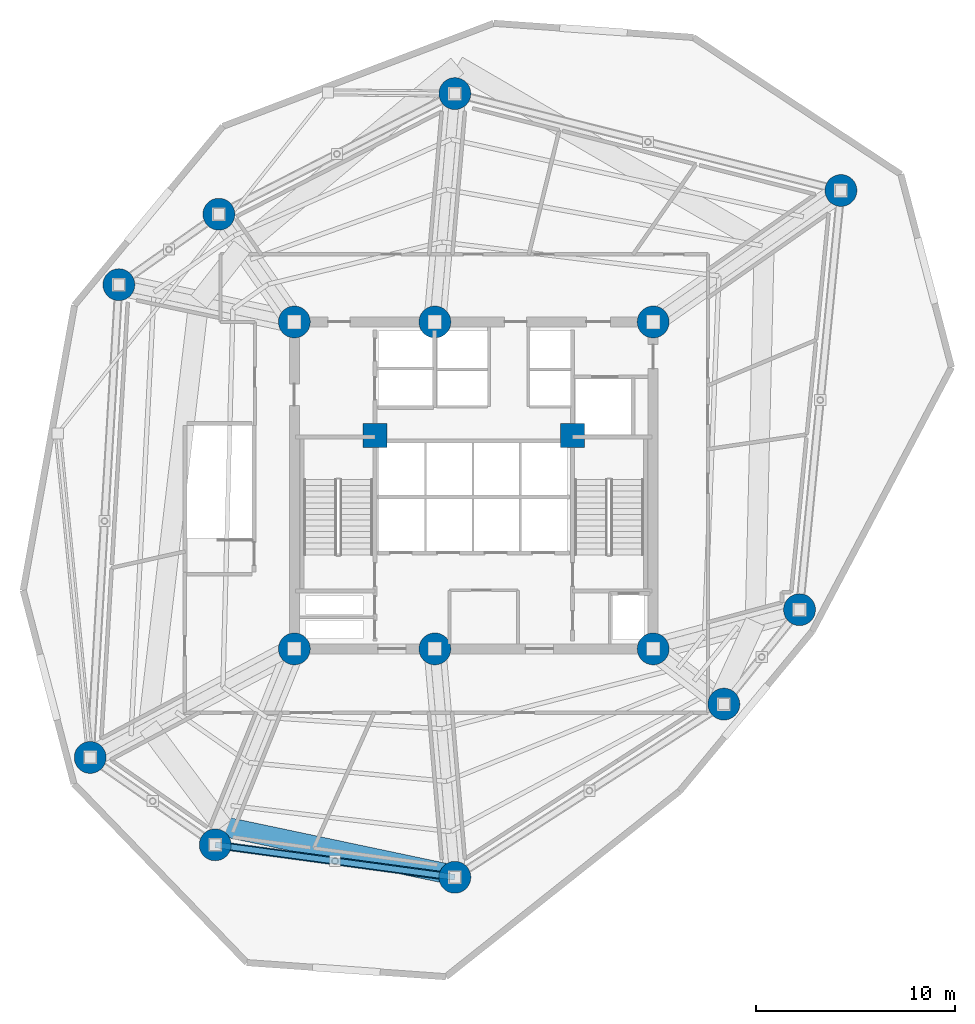
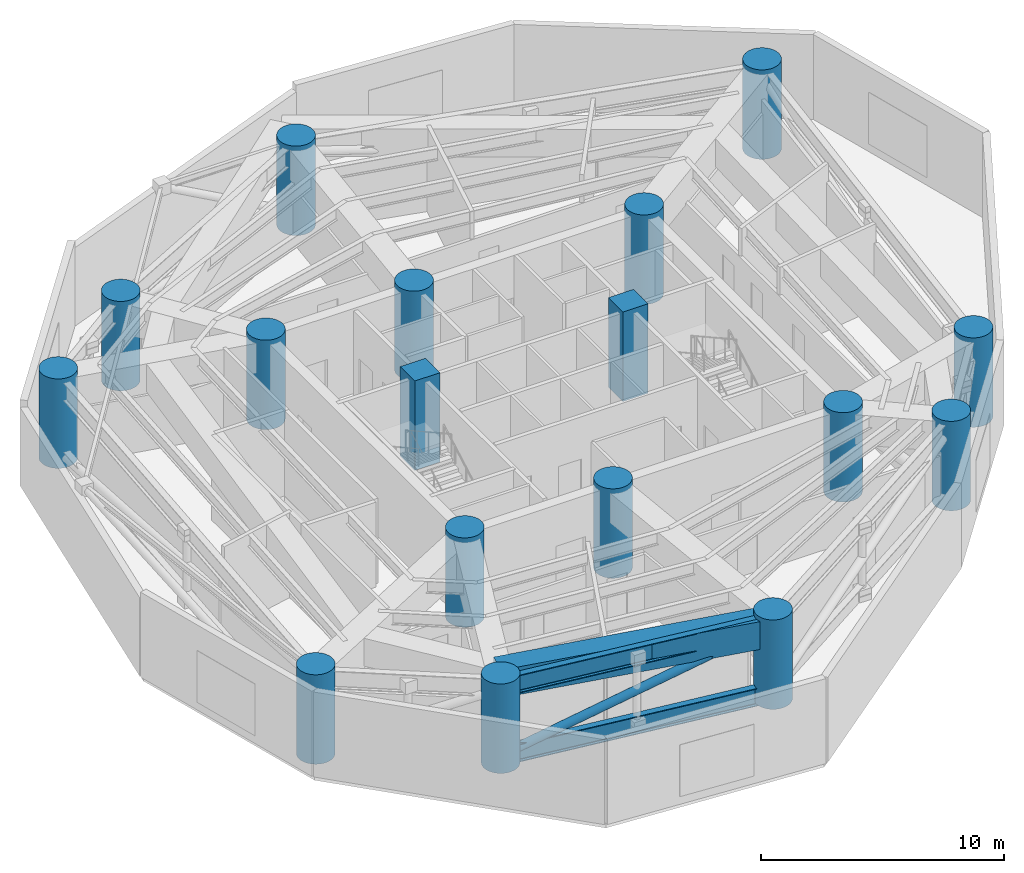
# One storey, part 1 of 13: 17 columns, 2 beams, 2 members.
"""IFC4 building model written with IfcOpenShell, lengths in metres."""

from ifc_helpers import new_model, si_unit, direction, frame, origin, origin_with_axes, origin_2d, place, context, subcontext, project, spatial, rectangle, circle, hollow_circle, i_section, extrude, source, transform, mapped, material, material_profile, profile_set, type_object, element, save


model = new_model("IFC4")

# Units and contexts
model_context = context("Model", 3, precision=1e-05, world=origin(), true_north=direction((0.0, 1.0)))
body_context = subcontext(model_context, "Body", "Model", "MODEL_VIEW")
ifc_project = project(units=[si_unit("LENGTHUNIT", "METRE"), si_unit("AREAUNIT", "SQUARE_METRE"), si_unit("VOLUMEUNIT", "CUBIC_METRE"), si_unit("PLANEANGLEUNIT", "RADIAN"), si_unit("MASSUNIT", "GRAM", prefix="KILO")], contexts=[model_context])

# Site, building, storey
site_placement = place(None, origin())
site = spatial("IfcSite", under=ifc_project, at=site_placement, CompositionType="ELEMENT")
building_placement = place(site_placement, origin())
building = spatial("IfcBuilding", under=site, at=building_placement, Name="Karkom Vertical University and Central Library", CompositionType="ELEMENT")
storey_placement = place(building_placement, frame((0.0, 0.0, 87.699951171875)))
storey = spatial("IfcBuildingStorey", under=building, at=storey_placement, Name="P23", CompositionType="ELEMENT", Elevation=87.699951171875)

# Columns
ifc_material_1 = material(Name="Concrete C50/60", Category="concrete")
ifc_material_profile_1 = material_profile(ifc_material_1, rectangle(XDim=1.199951171875, YDim=1.199951171875, at=origin_2d()), Name="RC-1200x1200")
ifc_profile_set_1 = profile_set([ifc_material_profile_1], Name="Concrete C50/60")
column_type_1 = type_object("IfcColumnType", Name="STR-COL-C-CC1", PredefinedType="COLUMN", material=ifc_profile_set_1)
shared_shape_1 = source(origin_with_axes(), body_context, "Body", "SweptSolid", [
    extrude(rectangle(XDim=1.199951171875, YDim=1.199951171875, at=origin_2d()), origin(), (0.0, 0.0, 1.0), 4.5),
])
for number, where, z_axis, x_axis, name in (
    (1, (23.550048828125, 29.0, 0.0), (0.0, 0.0, 1.0), (1.0, 0.0, 0.0), "Plant Level 23 Core Node Column CC-1"),
    (2, (33.449951171875, 29.0, 0.0), (0.0, 0.0, 1.0), (1.0, 0.0, 0.0), "Plant Level 23 Core Node Column CC-2"),
):
    element("IfcColumn", number, at=place(storey_placement, frame(where, z_axis=z_axis, x_axis=x_axis)), inside=storey, type_object=column_type_1, Name=name, PredefinedType="COLUMN", context=body_context, shape_type="MappedRepresentation", body=[
        mapped(shared_shape_1, transform((0.0, 0.0, 0.0), scale=1.0)),
    ])
ifc_material_profile_2 = material_profile(ifc_material_1, circle(Radius=0.800048828125, at=origin_2d()), Name="CFT-D1600")
ifc_profile_set_2 = profile_set([ifc_material_profile_2], Name="Concrete C50/60")
column_type_2 = type_object("IfcColumnType", Name="STR-COL-C-SC2", PredefinedType="COLUMN", material=ifc_profile_set_2)
shared_shape_2 = source(origin_with_axes(), body_context, "Body", "SweptSolid", [
    extrude(circle(Radius=0.800048828125, at=origin_2d()), origin(), (0.0, 0.0, 1.0), 4.5),
])
for number, where, z_axis, x_axis, name in (
    (3, (19.5, 18.300048828125, 0.0), (0.0, 0.0, 1.0), (1.0, 0.0, 0.0), "Plant Level 23 Spine Mega-Column SC-1"),
    (4, (26.550048828125, 18.300048828125, 0.0), (0.0, 0.0, 1.0), (1.0, 0.0, 0.0), "Plant Level 23 Spine Mega-Column SC-2"),
    (5, (37.5, 18.300048828125, 0.0), (0.0, 0.0, 1.0), (1.0, 0.0, 0.0), "Plant Level 23 Spine Mega-Column SC-3"),
    (6, (19.5, 34.699951171875, 0.0), (0.0, 0.0, 1.0), (1.0, 0.0, 0.0), "Plant Level 23 Spine Mega-Column SC-4"),
    (7, (26.550048828125, 34.699951171875, 0.0), (0.0, 0.0, 1.0), (1.0, 0.0, 0.0), "Plant Level 23 Spine Mega-Column SC-5"),
    (8, (37.5, 34.699951171875, 0.0), (0.0, 0.0, 1.0), (1.0, 0.0, 0.0), "Plant Level 23 Spine Mega-Column SC-6"),
    (9, (44.841064453125, 20.26708984375, 0.0), (0.0, 0.0, 1.0), (1.0, 0.0, 0.0), "Plant Level 23 Perimeter Mega-Column Z1-PC1"),
    (10, (46.919921875, 41.2958984375, 0.0), (0.0, 0.0, 1.0), (1.0, 0.0, 0.0), "Plant Level 23 Perimeter Mega-Column Z1-PC2"),
    (11, (27.552001953125, 46.156005859375, 0.0), (0.0, 0.0, 1.0), (1.0, 0.0, 0.0), "Plant Level 23 Perimeter Mega-Column Z1-PC3"),
    (12, (15.714111328125, 40.10595703125, 0.0), (0.0, 0.0, 1.0), (1.0, 0.0, 0.0), "Plant Level 23 Perimeter Mega-Column Z1-PC4"),
    (13, (10.697021484375, 36.571044921875, 0.0), (0.0, 0.0, 1.0), (1.0, 0.0, 0.0), "Plant Level 23 Perimeter Mega-Column Z1-PC5"),
    (14, (9.258056640625, 12.85400390625, 0.0), (0.0, 0.0, 1.0), (1.0, 0.0, 0.0), "Plant Level 23 Perimeter Mega-Column Z1-PC6"),
    (15, (15.529052734375, 8.471923828125, 0.0), (0.0, 0.0, 1.0), (1.0, 0.0, 0.0), "Plant Level 23 Perimeter Mega-Column Z1-PC7"),
    (16, (27.552001953125, 6.843994140625, 0.0), (0.0, 0.0, 1.0), (1.0, 0.0, 0.0), "Plant Level 23 Perimeter Mega-Column Z1-PC8"),
    (17, (41.0458984375, 15.530029296875, 0.0), (0.0, 0.0, 1.0), (1.0, 0.0, 0.0), "Plant Level 23 Perimeter Mega-Column Z1-PC9"),
):
    element("IfcColumn", number, at=place(storey_placement, frame(where, z_axis=z_axis, x_axis=x_axis)), inside=storey, type_object=column_type_2, Name=name, PredefinedType="COLUMN", context=body_context, shape_type="MappedRepresentation", body=[
        mapped(shared_shape_2, transform((0.0, 0.0, 0.0), scale=1.0)),
    ])

# Beams
ifc_material_2 = material(Name="Steel S460", Category="steel")
ifc_material_profile_3 = material_profile(ifc_material_2, i_section(OverallWidth=0.300048828125, OverallDepth=0.89990234375, WebThickness=0.0185546875, FlangeThickness=0.034912109375, FilletRadius=0.030029296875, at=origin_2d()), Name="HE 900 B")
ifc_profile_set_3 = profile_set([ifc_material_profile_3], Name="Steel S460")
beam_type_1 = type_object("IfcBeamType", Name="STR-BM-SB-HE900", PredefinedType="USERDEFINED", material=ifc_profile_set_3)
shared_shape_3 = source(origin_with_axes(), body_context, "Body", "SweptSolid", [
    extrude(i_section(OverallWidth=0.300048828125, OverallDepth=0.89990234375, WebThickness=0.0185546875, FlangeThickness=0.034912109375, FilletRadius=0.030029296875, at=origin_2d()), origin(), (0.0, 0.0, 1.0), 12.132568359375),
])
beam_1_placement = place(storey_placement, frame((15.529052734375, 8.471923828125, 3.824951171875), z_axis=(0.990957319008, -0.134177464223, 0.0), x_axis=(0.134177464223, 0.990957319008, 0.0)))
element("IfcBeam", 18, at=beam_1_placement, inside=storey, type_object=beam_type_1, Name="Plant Level 23 Perimeter Spandrel Beam 07", ObjectType="GIRDER", PredefinedType="USERDEFINED", context=body_context, shape_type="MappedRepresentation", body=[
    mapped(shared_shape_3, transform((0.0, 0.0, 0.0), scale=1.0)),
])
ifc_material_profile_4 = material_profile(ifc_material_1, rectangle(XDim=1.0, YDim=1.39990234375, at=origin_2d()), Name="TG-1000x1400")
ifc_profile_set_4 = profile_set([ifc_material_profile_4], Name="Concrete C50/60")
beam_type_2 = type_object("IfcBeamType", Name="STR-BM-TG-2", PredefinedType="USERDEFINED", material=ifc_profile_set_4)
shared_shape_4 = source(origin_with_axes(), body_context, "Body", "SweptSolid", [
    extrude(rectangle(XDim=1.0, YDim=1.39990234375, at=origin_2d()), origin(), (0.0, 0.0, 1.0), 11.896240234375),
])
beam_2_placement = place(storey_placement, frame((15.904052734375, 9.39892578125, 3.574951171875), z_axis=(0.978459762135, -0.206437627101, 0.0), x_axis=(0.206437627101, 0.978459762135, 0.0)))
element("IfcBeam", 19, at=beam_2_placement, inside=storey, type_object=beam_type_2, Name="Plant Level 23 Upper Column Transfer Ring 07", ObjectType="GIRDER", PredefinedType="USERDEFINED", context=body_context, shape_type="MappedRepresentation", body=[
    mapped(shared_shape_4, transform((0.0, 0.0, 0.0), scale=1.0)),
])

# Members
ifc_material_3 = material(Name="Steel S355", Category="steel")
ifc_material_profile_5 = material_profile(ifc_material_3, hollow_circle(Radius=0.203125, WallThickness=0.02001953125, at=origin_2d()), Name="CHS 406.4x20")
ifc_profile_set_5 = profile_set([ifc_material_profile_5], Name="Steel S355")
member_type_1 = type_object("IfcMemberType", Name="STR-MEM-BR-2", PredefinedType="BRACE", material=ifc_profile_set_5)
shared_shape_5 = source(origin_with_axes(), body_context, "Body", "SweptSolid", [
    extrude(hollow_circle(Radius=0.203125, WallThickness=0.02001953125, at=origin_2d()), origin(), (0.0, 0.0, 1.0), 12.59326171875),
])
member_1_placement = place(storey_placement, frame((15.529052734375, 8.471923828125, 0.35009765625), z_axis=(0.954707324116, -0.129269147488, 0.267998904451), x_axis=(0.134177464223, 0.990957319008, 0.0)))
element("IfcMember", 20, at=member_1_placement, inside=storey, type_object=member_type_1, Name="Plant Level 23 Belt Truss Diagonal Brace 07", PredefinedType="BRACE", context=body_context, shape_type="MappedRepresentation", body=[
    mapped(shared_shape_5, transform((0.0, 0.0, 0.0), scale=1.0)),
])
ifc_material_profile_6 = material_profile(ifc_material_2, i_section(OverallWidth=0.300048828125, OverallDepth=0.89990234375, WebThickness=0.0185546875, FlangeThickness=0.034912109375, FilletRadius=0.030029296875, at=origin_2d()), Name="HE 900 B")
ifc_profile_set_6 = profile_set([ifc_material_profile_6], Name="Steel S460")
member_type_2 = type_object("IfcMemberType", Name="STR-MEM-CH-1", PredefinedType="CHORD", material=ifc_profile_set_6)
shared_shape_6 = source(origin_with_axes(), body_context, "Body", "SweptSolid", [
    extrude(i_section(OverallWidth=0.300048828125, OverallDepth=0.89990234375, WebThickness=0.0185546875, FlangeThickness=0.034912109375, FilletRadius=0.030029296875, at=origin_2d()), origin(), (0.0, 0.0, 1.0), 12.132568359375),
])
member_2_placement = place(storey_placement, frame((15.529052734375, 8.471923828125, 0.35009765625), z_axis=(0.990957319008, -0.134177464223, 0.0), x_axis=(0.134177464223, 0.990957319008, 0.0)))
element("IfcMember", 21, at=member_2_placement, inside=storey, type_object=member_type_2, Name="Plant Level 23 Belt Truss Bottom Chord 07", PredefinedType="CHORD", context=body_context, shape_type="MappedRepresentation", body=[
    mapped(shared_shape_6, transform((0.0, 0.0, 0.0), scale=1.0)),
])

save(model, "model.ifc")
